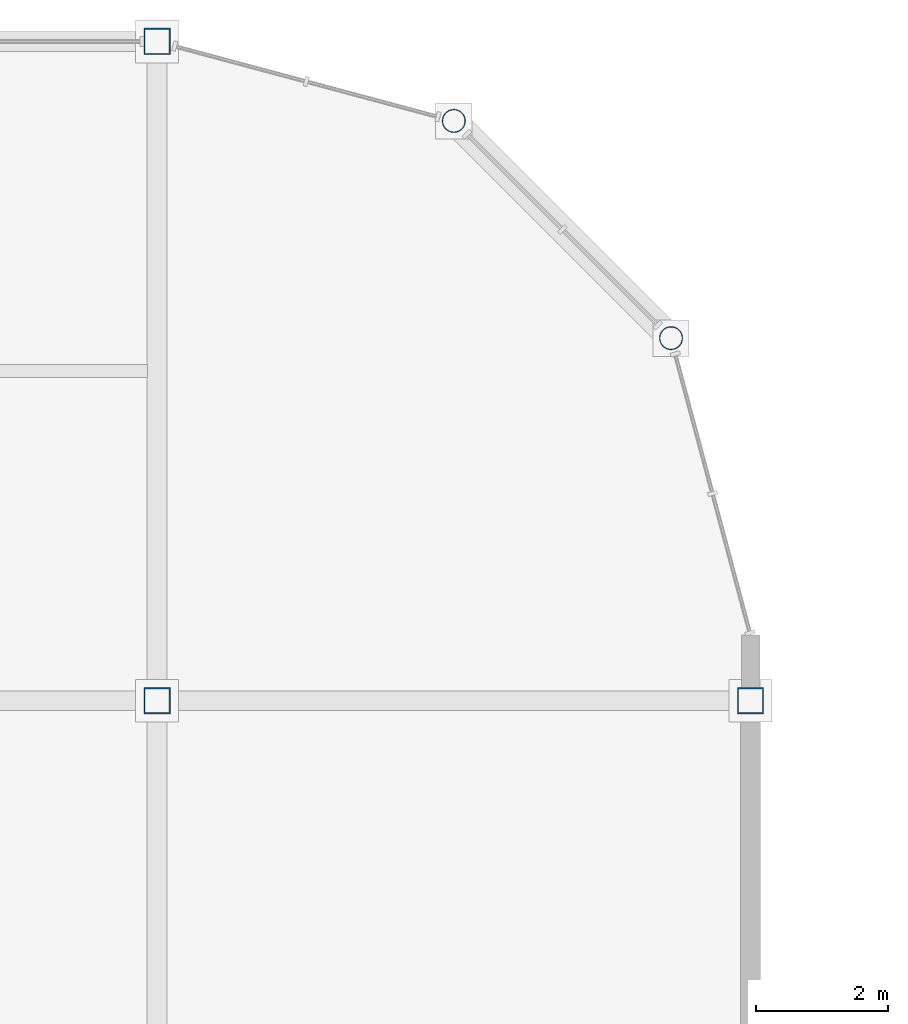
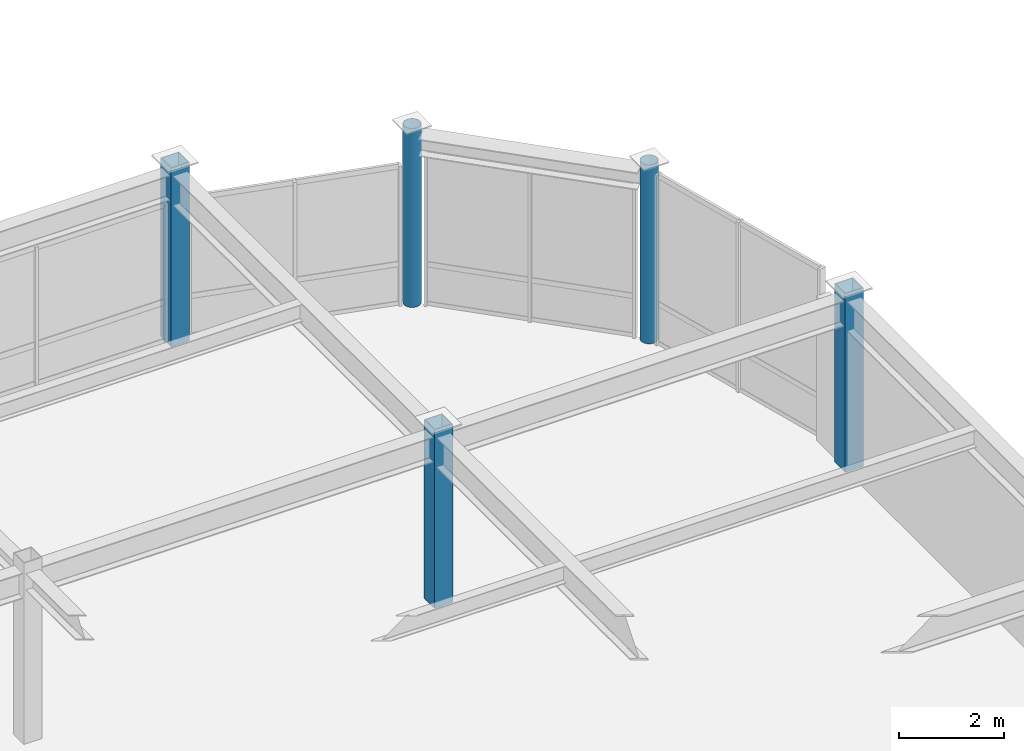
# One storey, part 9 of 70: 5 columns.
"""IFC4 building model written with IfcOpenShell, lengths in metres."""

from ifc_helpers import new_model, si_unit, direction, frame, origin, origin_2d, place, context, subcontext, project, spatial, hollow_rectangle, hollow_circle, extrude, material, material_profile, profile_set, type_object, element, save


model = new_model("IFC4")

# Units and contexts
model_context = context("Model", 3, precision=1e-05, world=origin(), true_north=direction((0.0, 1.0)))
body_context = subcontext(model_context, "Body", "Model", "MODEL_VIEW")
ifc_project = project(units=[si_unit("LENGTHUNIT", "METRE"), si_unit("AREAUNIT", "SQUARE_METRE"), si_unit("VOLUMEUNIT", "CUBIC_METRE"), si_unit("PLANEANGLEUNIT", "RADIAN"), si_unit("MASSUNIT", "GRAM", prefix="KILO")], contexts=[model_context])

# Site, building, storey
site_placement = place(None, origin())
site = spatial("IfcSite", under=ifc_project, at=site_placement, CompositionType="ELEMENT")
building_placement = place(site_placement, origin())
building = spatial("IfcBuilding", under=site, at=building_placement, Name="Suzunagisa Mobility Hub", CompositionType="ELEMENT")
storey_placement = place(building_placement, frame((0.0, 0.0, 13.5)))
storey = spatial("IfcBuildingStorey", under=building, at=storey_placement, Name="L03", CompositionType="ELEMENT", Elevation=13.5)

# Columns
ifc_material = material(Name="Steel SN490B", Category="steel")
ifc_material_profile_1 = material_profile(ifc_material, hollow_rectangle(XDim=0.39990234375, YDim=0.39990234375, WallThickness=0.01904296875, at=origin_2d()), Name="BCR-400x400x19")
ifc_profile_set_1 = profile_set([ifc_material_profile_1], Name="Steel SN490B")
column_type_1 = type_object("IfcColumnType", Name="Steel Column CL-13 BCR-400x400x19", PredefinedType="COLUMN", material=ifc_profile_set_1)
for number, where, z_axis, x_axis, name in (
    (1, (117.0, 108.0, 0.0), (0.0, 0.0, 1.0), (1.0, 0.0, 0.0), "L03 Column 218"),
    (2, (117.0, 118.0, 0.0), (0.0, 0.0, 1.0), (1.0, 0.0, 0.0), "L03 Column 219"),
    (3, (126.0, 108.0, 0.0), (0.0, 0.0, 1.0), (1.0, 0.0, 0.0), "L03 Column 236"),
):
    element("IfcColumn", number, at=place(storey_placement, frame(where, z_axis=z_axis, x_axis=x_axis)), inside=storey, type_object=column_type_1, Name=name, PredefinedType="COLUMN", context=body_context, shape_type="SweptSolid", body=[
        extrude(hollow_rectangle(XDim=0.39990234375, YDim=0.39990234375, WallThickness=0.01904296875, at=origin_2d()), origin(), (0.0, 0.0, 1.0), 4.139892578125),
    ])
ifc_material_profile_2 = material_profile(ifc_material, hollow_circle(Radius=0.177734375, WallThickness=0.0126953125, at=origin_2d()), Name="CHS-355.6x12.7")
ifc_profile_set_2 = profile_set([ifc_material_profile_2], Name="Steel SN490B")
column_type_2 = type_object("IfcColumnType", Name="Steel Column CL-18 CHS-355.6x12.7", PredefinedType="COLUMN", material=ifc_profile_set_2)
for number, where, z_axis, x_axis, name in (
    (4, (121.5, 116.794189453125, 0.0), (0.0, 0.0, 1.0), (1.0, 0.0, 0.0), "L03 Column 223"),
    (5, (124.794189453125, 113.5, 0.0), (0.0, 0.0, 1.0), (1.0, 0.0, 0.0), "L03 Column 227"),
):
    element("IfcColumn", number, at=place(storey_placement, frame(where, z_axis=z_axis, x_axis=x_axis)), inside=storey, type_object=column_type_2, Name=name, PredefinedType="COLUMN", context=body_context, shape_type="SweptSolid", body=[
        extrude(hollow_circle(Radius=0.177734375, WallThickness=0.0126953125, at=origin_2d()), origin(), (0.0, 0.0, 1.0), 4.139892578125),
    ])

save(model, "model.ifc")
